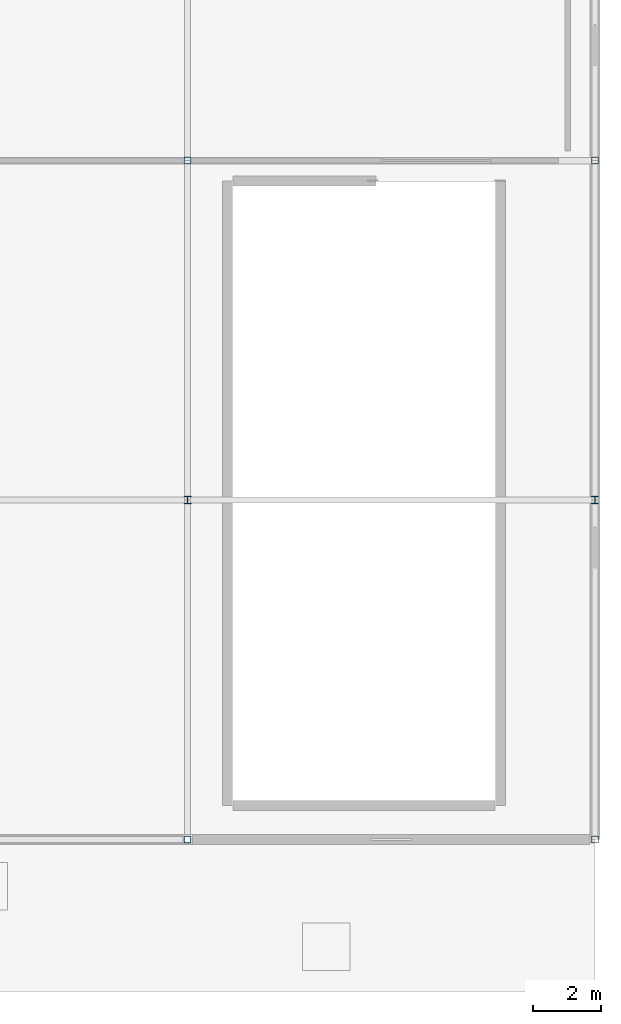
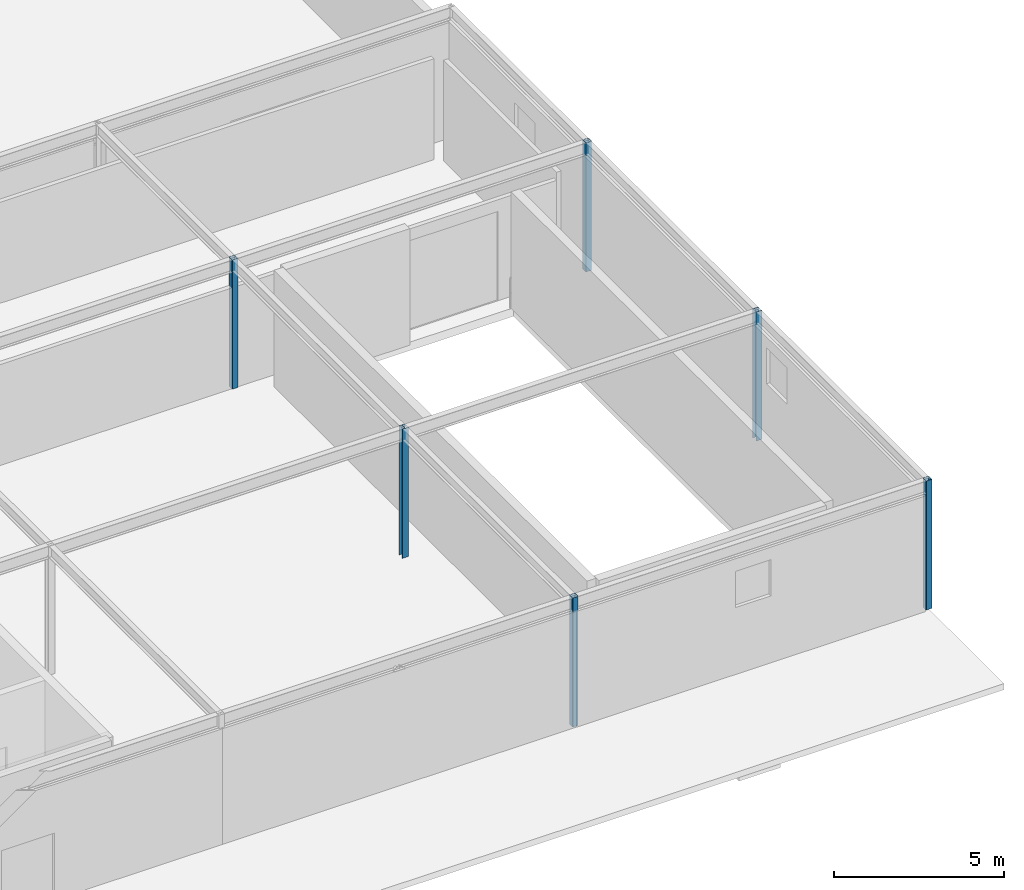
# One storey, part 33 of 119: 6 columns.
"""IFC4 building model written with IfcOpenShell, lengths in metres."""

import ifcopenshell
import ifcopenshell.guid

model = None  # the IFC model being written
_history = None  # IfcOwnerHistory: only IFC2X3 demands one
_inside = {}  # id of a spatial element -> (the spatial element, [elements in it])
_under = {}  # id of a project, library or spatial element -> (it, [spatial elements below it])
_declared = {}  # id of a project -> (the project, [libraries it declares])
_typed = {}  # id of a type object -> (the type object, [elements of that type])
_made_of = {}  # id of a material, layer set ... -> (it, [elements and type objects made of it])


def new_model(schema):
    """Start an empty IFC model of exactly this schema.

    Asked for "IFC4X3", IfcOpenShell would pick the latest addendum, in which some entities
    have other attributes; the version numbers below select the first issue.
    IFC2X3 requires an IfcOwnerHistory on every rooted entity: one is made here for all.
    """
    global model, _history
    if schema == "IFC4X3":
        model = ifcopenshell.file(schema_version=(4, 3, 0, 0))
    else:
        model = ifcopenshell.file(schema=schema)
    _inside.clear()
    _under.clear()
    _declared.clear()
    _typed.clear()
    _made_of.clear()
    _history = None
    if model.schema == "IFC2X3":
        org = make("IfcOrganization", Name="unknown")
        user = make(
            "IfcPersonAndOrganization",
            ThePerson=make("IfcPerson", FamilyName="unknown"),
            TheOrganization=org,
        )
        app = make(
            "IfcApplication",
            ApplicationDeveloper=org,
            Version="unknown",
            ApplicationFullName="unknown",
            ApplicationIdentifier="unknown",
        )
        _history = make(
            "IfcOwnerHistory",
            OwningUser=user,
            OwningApplication=app,
            ChangeAction="ADDED",
            CreationDate=0,
        )
    return model


def make(cls, **values):
    """One entity of the class cls with the attributes given. An attribute that is None is left unset."""
    return model.create_entity(
        cls, **{name: value for name, value in values.items() if value is not None}
    )


def rooted(cls, **values):
    """An entity with a GlobalId (a new one), such as an element, a storey or a relation."""
    return make(cls, GlobalId=ifcopenshell.guid.new(), OwnerHistory=_history, **values)


def si_unit(unit_type, name, prefix=None):
    """IfcSIUnit, for example si_unit("LENGTHUNIT", "METRE", prefix="MILLI")."""
    return make("IfcSIUnit", UnitType=unit_type, Prefix=prefix, Name=name)


def derived_unit(unit_type, elements):
    """IfcDerivedUnit: a product of units, each with its exponent."""
    return make(
        "IfcDerivedUnit",
        Elements=[
            make("IfcDerivedUnitElement", Unit=unit, Exponent=power)
            for unit, power in elements
        ],
        UnitType=unit_type,
    )


def assignment(units):
    """IfcUnitAssignment: the units of a project."""
    return None if units is None else make("IfcUnitAssignment", Units=units)


def point(xyz):
    """IfcCartesianPoint."""
    return None if xyz is None else make("IfcCartesianPoint", Coordinates=xyz)


def direction(xyz):
    """IfcDirection."""
    return None if xyz is None else make("IfcDirection", DirectionRatios=xyz)


def frame(location, z_axis=None, x_axis=None):
    """IfcAxis2Placement3D, a coordinate frame: its origin and axes. An axis left out is left unset."""
    return make(
        "IfcAxis2Placement3D",
        Location=point(location),
        Axis=direction(z_axis),
        RefDirection=direction(x_axis),
    )


def frame_2d(location, x_axis=None):
    """IfcAxis2Placement2D, a coordinate frame in the plane: its origin and x axis."""
    return make(
        "IfcAxis2Placement2D", Location=point(location), RefDirection=direction(x_axis)
    )


def origin():
    """The frame at (0, 0, 0) with its axes left unset."""
    return frame((0.0, 0.0, 0.0))


def origin_2d_with_axis():
    """The frame at (0, 0) in the plane with the x axis (1, 0) written out."""
    return frame_2d((0.0, 0.0), x_axis=(1.0, 0.0))


def place(relative_to, where):
    """IfcLocalPlacement: puts the frame where relative to a parent placement (None: the world)."""
    return make(
        "IfcLocalPlacement", PlacementRelTo=relative_to, RelativePlacement=where
    )


def context(
    kind, dimensions, precision=None, world=None, true_north=None, identifier=None
):
    """IfcGeometricRepresentationContext, for example the 3D "Model" context."""
    return make(
        "IfcGeometricRepresentationContext",
        ContextIdentifier=identifier,
        ContextType=kind,
        CoordinateSpaceDimension=dimensions,
        Precision=precision,
        WorldCoordinateSystem=world,
        TrueNorth=true_north,
    )


def subcontext(parent, identifier, kind, view, scale=None):
    """IfcGeometricRepresentationSubContext, for example "Body" below "Model"."""
    return make(
        "IfcGeometricRepresentationSubContext",
        ContextIdentifier=identifier,
        ContextType=kind,
        ParentContext=parent,
        TargetScale=scale,
        TargetView=view,
    )


def project(units=None, contexts=None):
    """IfcProject with its units and contexts."""
    return rooted(
        "IfcProject",
        Name="project",
        RepresentationContexts=contexts,
        UnitsInContext=assignment(units),
    )


def spatial(cls, under=None, at=None, **own):
    """A site, building, storey or space (cls), placed at a placement, below another one or the project."""
    s = rooted(cls, ObjectPlacement=at, **own)
    if under is not None:
        _under.setdefault(under.id(), (under, []))[1].append(s)
    return s


def profile(cls, at=None, kind="AREA", **sizes):
    """A parametric profile (cls). Its sizes go by their IFC names, for example OverallWidth=200.0."""
    return make(cls, ProfileType=kind, Position=at, **sizes)


def hollow_rectangle(**sizes):
    """IfcRectangleHollowProfileDef."""
    return profile("IfcRectangleHollowProfileDef", **sizes)


def i_section(**sizes):
    """IfcIShapeProfileDef."""
    return profile("IfcIShapeProfileDef", **sizes)


def extrude(swept, where, along, depth):
    """IfcExtrudedAreaSolid: the profile swept, set in the frame where, extruded along a direction by depth."""
    return make(
        "IfcExtrudedAreaSolid",
        SweptArea=swept,
        Position=where,
        ExtrudedDirection=direction(along),
        Depth=depth,
    )


def shape(context_of_items, identifier, shape_type, items):
    """IfcShapeRepresentation: the items that make up one representation, for example the "Body"."""
    return make(
        "IfcShapeRepresentation",
        ContextOfItems=context_of_items,
        RepresentationIdentifier=identifier,
        RepresentationType=shape_type,
        Items=items,
    )


def material(Name=None, Category=None):
    """IfcMaterial."""
    return make("IfcMaterial", Name=Name, Category=Category)


def material_profile(
    of_material, cross_section, Name=None, Category=None, Priority=None
):
    """IfcMaterialProfile: a cross section and its material."""
    return make(
        "IfcMaterialProfile",
        Name=Name,
        Material=of_material,
        Profile=cross_section,
        Priority=Priority,
        Category=Category,
    )


def profile_set(profiles, Name=None, composite=None):
    """IfcMaterialProfileSet."""
    return make(
        "IfcMaterialProfileSet",
        Name=Name,
        MaterialProfiles=profiles,
        CompositeProfile=composite,
    )


def made_of(thing, what):
    """Note that an element or type object is made of a material, layer set ...; save() writes the relation."""
    if what is not None:
        _made_of.setdefault(what.id(), (what, []))[1].append(thing)
    return thing


def type_object(cls, material=None, **own):
    """A type object (cls), such as IfcWallType, which elements share."""
    return made_of(rooted(cls, **own), material)


def element(
    cls,
    number,
    at=None,
    inside=None,
    cuts=None,
    type_object=None,
    material=None,
    context=None,
    identifier="Body",
    shape_type=None,
    held_by="IfcProductDefinitionShape",
    body=None,
    shapes=None,
    **own,
):
    """One element of the class cls, such as IfcWall. Its Tag is "e" and its number.

    at: its placement. inside: the storey or other place that contains it. cuts: it is an
    opening in that element (IfcRelVoidsElement). A single representation is given by context,
    identifier, shape_type and body (its items); several are given by shapes. held_by: the class
    of the entity that holds the representations. save() writes the other relations.
    """
    e = rooted(cls, Tag="e%d" % number, ObjectPlacement=at, **own)
    if body is not None:
        shapes = [shape(context, identifier, shape_type, body)]
    if shapes is not None:
        e.Representation = make(held_by, Representations=shapes)
    if inside is not None:
        _inside.setdefault(inside.id(), (inside, []))[1].append(e)
    if cuts is not None:
        rooted(
            "IfcRelVoidsElement", RelatingBuildingElement=cuts, RelatedOpeningElement=e
        )
    if type_object is not None:
        _typed.setdefault(type_object.id(), (type_object, []))[1].append(e)
    return made_of(e, material)


def aggregate(whole, parts):
    """IfcRelAggregates: a whole, such as a stair, and the parts it consists of."""
    return rooted("IfcRelAggregates", RelatingObject=whole, RelatedObjects=parts)


def save(model, path):
    """Write the relations noted so far, then the file.

    IfcRelAggregates (storeys below a building ...), IfcRelContainedInSpatialStructure (elements
    in a storey), IfcRelDefinesByType, IfcRelAssociatesMaterial and IfcRelDeclares: one each for
    every whole, place, type object, material and project.
    """
    for whole, parts in _under.values():
        aggregate(whole, parts)
    for where, things in _inside.values():
        rooted(
            "IfcRelContainedInSpatialStructure",
            RelatedElements=things,
            RelatingStructure=where,
        )
    for kind, things in _typed.values():
        rooted("IfcRelDefinesByType", RelatedObjects=things, RelatingType=kind)
    for what, things in _made_of.values():
        rooted("IfcRelAssociatesMaterial", RelatedObjects=things, RelatingMaterial=what)
    for by, libraries in _declared.values():
        rooted("IfcRelDeclares", RelatingContext=by, RelatedDefinitions=libraries)
    model.write(path)


model = new_model("IFC4")

# Units and contexts
model_context = context("Model", 3, precision=1e-05, world=origin(), true_north=direction((0.0, 1.0)))
body_context = subcontext(model_context, "Body", "Model", "MODEL_VIEW")
ifc_project = project(units=[si_unit("LENGTHUNIT", "METRE"), si_unit("AREAUNIT", "SQUARE_METRE"), si_unit("VOLUMEUNIT", "CUBIC_METRE"), si_unit("PLANEANGLEUNIT", "RADIAN"), si_unit("MASSUNIT", "GRAM", prefix="KILO"), derived_unit("THERMALTRANSMITTANCEUNIT", [(si_unit("POWERUNIT", "WATT"), 1), (si_unit("LENGTHUNIT", "METRE"), -2), (si_unit("THERMODYNAMICTEMPERATUREUNIT", "KELVIN"), -1)])], contexts=[model_context])

# Site, building, storey
site_placement = place(None, origin())
site = spatial("IfcSite", under=ifc_project, at=site_placement, CompositionType="ELEMENT")
building_placement = place(site_placement, origin())
building = spatial("IfcBuilding", under=site, at=building_placement, Name="Cinnabar Yard Market Hall", CompositionType="ELEMENT")
storey_placement = place(building_placement, origin())
storey = spatial("IfcBuildingStorey", under=building, at=storey_placement, Name="L00", CompositionType="ELEMENT", Elevation=0.0)

# Columns
ifc_material_1 = material(Name="Steel Grade 300 (300 MPa)", Category="steel")
ifc_material_profile_1 = material_profile(ifc_material_1, i_section(OverallWidth=0.205078125, OverallDepth=0.209716796875, WebThickness=0.00927734375, FlangeThickness=0.01416015625, FilletRadius=0.011474609375, at=origin_2d_with_axis()), Name="200UC59.5")
ifc_profile_set_1 = profile_set([ifc_material_profile_1], Name="Steel Grade 300 (300 MPa)")
column_type_1 = type_object("IfcColumnType", Name="COL-C12", PredefinedType="COLUMN", material=ifc_profile_set_1)
column_1_placement = place(storey_placement, frame((202.0, 24.0, 0.0), z_axis=(0.0, 0.0, 1.0), x_axis=(1.0, 0.0, 0.0)))
element("IfcColumn", 1, at=column_1_placement, inside=storey, type_object=column_type_1, Name="Dock Column V4-03-02 L00", PredefinedType="COLUMN", context=body_context, shape_type="SweptSolid", body=[
    extrude(i_section(OverallWidth=0.205078125, OverallDepth=0.209716796875, WebThickness=0.00927734375, FlangeThickness=0.01416015625, FilletRadius=0.011474609375, at=origin_2d_with_axis()), origin(), (0.0, 0.0, 1.0), 4.6298828125),
])
ifc_material_profile_2 = material_profile(ifc_material_1, i_section(OverallWidth=0.205078125, OverallDepth=0.209716796875, WebThickness=0.00927734375, FlangeThickness=0.01416015625, FilletRadius=0.011474609375, at=origin_2d_with_axis()), Name="200UC59.5")
ifc_profile_set_2 = profile_set([ifc_material_profile_2], Name="Steel Grade 300 (300 MPa)")
column_type_2 = type_object("IfcColumnType", Name="COL-C12E", PredefinedType="COLUMN", material=ifc_profile_set_2)
column_2_placement = place(storey_placement, frame((214.0, 24.0, 0.0), z_axis=(0.0, 0.0, 1.0), x_axis=(1.0, 0.0, 0.0)))
element("IfcColumn", 2, at=column_2_placement, inside=storey, type_object=column_type_2, Name="Dock Column V4-04-02 L00", PredefinedType="COLUMN", context=body_context, shape_type="SweptSolid", body=[
    extrude(i_section(OverallWidth=0.205078125, OverallDepth=0.209716796875, WebThickness=0.00927734375, FlangeThickness=0.01416015625, FilletRadius=0.011474609375, at=origin_2d_with_axis()), origin(), (0.0, 0.0, 1.0), 4.6298828125),
])
ifc_material_2 = material(Name="Cold-formed steel C350L0", Category="steel")
ifc_material_profile_3 = material_profile(ifc_material_2, hollow_rectangle(XDim=0.199951171875, YDim=0.199951171875, WallThickness=0.008056640625, InnerFilletRadius=0.008056640625, OuterFilletRadius=0.01611328125, at=origin_2d_with_axis()), Name="200x200x8.0SHS")
ifc_profile_set_3 = profile_set([ifc_material_profile_3], Name="Cold-formed steel C350L0")
column_type_3 = type_object("IfcColumnType", Name="COL-C15", PredefinedType="COLUMN", material=ifc_profile_set_3)
column_3_placement = place(storey_placement, frame((202.0, 34.0, 0.0), z_axis=(0.0, 0.0, 1.0), x_axis=(1.0, 0.0, 0.0)))
element("IfcColumn", 3, at=column_3_placement, inside=storey, type_object=column_type_3, Name="Dock Column V4-03-03 L00", PredefinedType="COLUMN", context=body_context, shape_type="SweptSolid", body=[
    extrude(hollow_rectangle(XDim=0.199951171875, YDim=0.199951171875, WallThickness=0.008056640625, InnerFilletRadius=0.008056640625, OuterFilletRadius=0.01611328125, at=origin_2d_with_axis()), origin(), (0.0, 0.0, 1.0), 4.6298828125),
])
ifc_material_profile_4 = material_profile(ifc_material_2, hollow_rectangle(XDim=0.199951171875, YDim=0.199951171875, WallThickness=0.008056640625, InnerFilletRadius=0.008056640625, OuterFilletRadius=0.01611328125, at=origin_2d_with_axis()), Name="200x200x8.0SHS")
ifc_profile_set_4 = profile_set([ifc_material_profile_4], Name="Cold-formed steel C350L0")
column_type_4 = type_object("IfcColumnType", Name="COL-C15E", PredefinedType="COLUMN", material=ifc_profile_set_4)
for number, where, z_axis, x_axis, name in (
    (4, (202.0, 14.0, 0.0), (0.0, 0.0, 1.0), (1.0, 0.0, 0.0), "Dock Column V4-03-01 L00"),
    (5, (214.0, 14.0, 0.0), (0.0, 0.0, 1.0), (1.0, 0.0, 0.0), "Dock Column V4-04-01 L00"),
    (6, (214.0, 34.0, 0.0), (0.0, 0.0, 1.0), (1.0, 0.0, 0.0), "Dock Column V4-04-03 L00"),
):
    element("IfcColumn", number, at=place(storey_placement, frame(where, z_axis=z_axis, x_axis=x_axis)), inside=storey, type_object=column_type_4, Name=name, PredefinedType="COLUMN", context=body_context, shape_type="SweptSolid", body=[
        extrude(hollow_rectangle(XDim=0.199951171875, YDim=0.199951171875, WallThickness=0.008056640625, InnerFilletRadius=0.008056640625, OuterFilletRadius=0.01611328125, at=origin_2d_with_axis()), origin(), (0.0, 0.0, 1.0), 4.6298828125),
    ])

save(model, "model.ifc")
